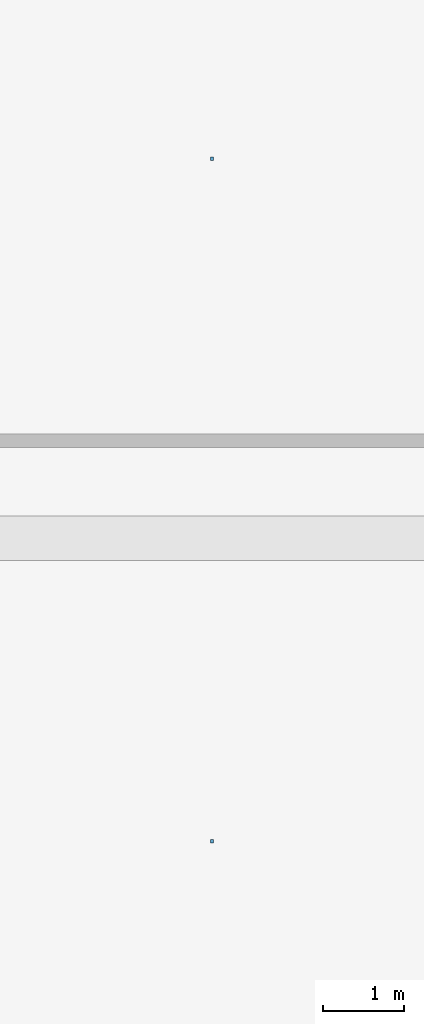
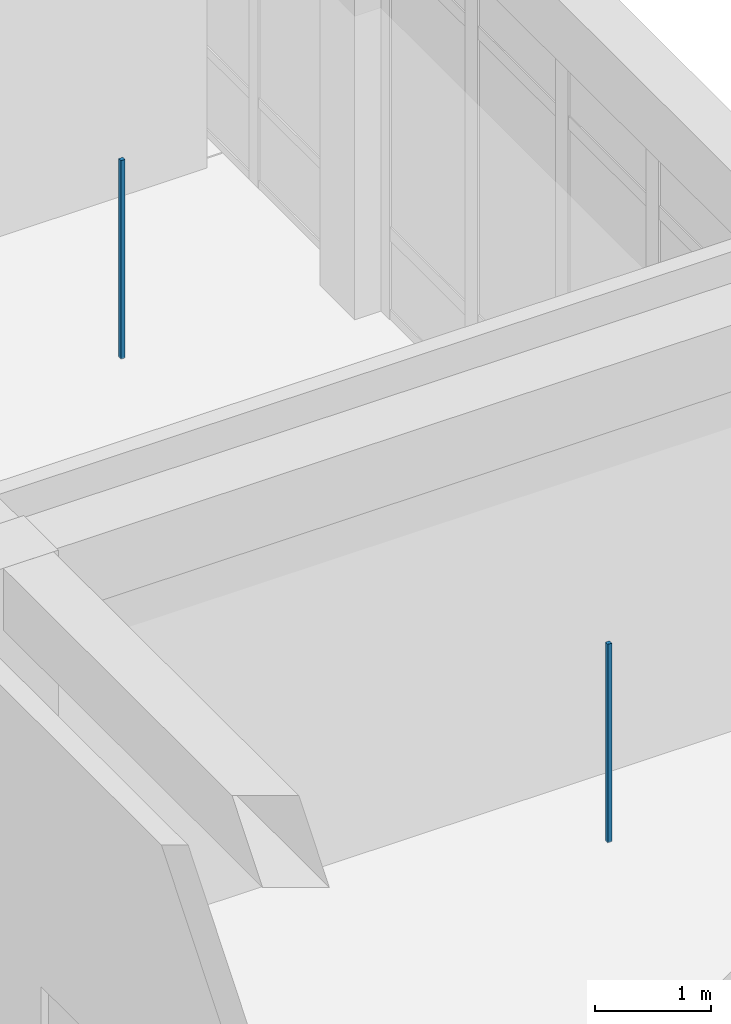
# One storey, part 110 of 157: 2 discrete accessories.
"""IFC4 building model written with IfcOpenShell, lengths in metres."""

import ifcopenshell
import ifcopenshell.guid

model = None  # the IFC model being written
_history = None  # IfcOwnerHistory: only IFC2X3 demands one
_inside = {}  # id of a spatial element -> (the spatial element, [elements in it])
_under = {}  # id of a project, library or spatial element -> (it, [spatial elements below it])
_declared = {}  # id of a project -> (the project, [libraries it declares])
_typed = {}  # id of a type object -> (the type object, [elements of that type])
_made_of = {}  # id of a material, layer set ... -> (it, [elements and type objects made of it])


def new_model(schema):
    """Start an empty IFC model of exactly this schema.

    Asked for "IFC4X3", IfcOpenShell would pick the latest addendum, in which some entities
    have other attributes; the version numbers below select the first issue.
    IFC2X3 requires an IfcOwnerHistory on every rooted entity: one is made here for all.
    """
    global model, _history
    if schema == "IFC4X3":
        model = ifcopenshell.file(schema_version=(4, 3, 0, 0))
    else:
        model = ifcopenshell.file(schema=schema)
    _inside.clear()
    _under.clear()
    _declared.clear()
    _typed.clear()
    _made_of.clear()
    _history = None
    if model.schema == "IFC2X3":
        org = make("IfcOrganization", Name="unknown")
        user = make(
            "IfcPersonAndOrganization",
            ThePerson=make("IfcPerson", FamilyName="unknown"),
            TheOrganization=org,
        )
        app = make(
            "IfcApplication",
            ApplicationDeveloper=org,
            Version="unknown",
            ApplicationFullName="unknown",
            ApplicationIdentifier="unknown",
        )
        _history = make(
            "IfcOwnerHistory",
            OwningUser=user,
            OwningApplication=app,
            ChangeAction="ADDED",
            CreationDate=0,
        )
    return model


def make(cls, **values):
    """One entity of the class cls with the attributes given. An attribute that is None is left unset."""
    return model.create_entity(
        cls, **{name: value for name, value in values.items() if value is not None}
    )


def rooted(cls, **values):
    """An entity with a GlobalId (a new one), such as an element, a storey or a relation."""
    return make(cls, GlobalId=ifcopenshell.guid.new(), OwnerHistory=_history, **values)


def si_unit(unit_type, name, prefix=None):
    """IfcSIUnit, for example si_unit("LENGTHUNIT", "METRE", prefix="MILLI")."""
    return make("IfcSIUnit", UnitType=unit_type, Prefix=prefix, Name=name)


def assignment(units):
    """IfcUnitAssignment: the units of a project."""
    return None if units is None else make("IfcUnitAssignment", Units=units)


def point(xyz):
    """IfcCartesianPoint."""
    return None if xyz is None else make("IfcCartesianPoint", Coordinates=xyz)


def direction(xyz):
    """IfcDirection."""
    return None if xyz is None else make("IfcDirection", DirectionRatios=xyz)


def frame(location, z_axis=None, x_axis=None):
    """IfcAxis2Placement3D, a coordinate frame: its origin and axes. An axis left out is left unset."""
    return make(
        "IfcAxis2Placement3D",
        Location=point(location),
        Axis=direction(z_axis),
        RefDirection=direction(x_axis),
    )


def frame_2d(location, x_axis=None):
    """IfcAxis2Placement2D, a coordinate frame in the plane: its origin and x axis."""
    return make(
        "IfcAxis2Placement2D", Location=point(location), RefDirection=direction(x_axis)
    )


def origin():
    """The frame at (0, 0, 0) with its axes left unset."""
    return frame((0.0, 0.0, 0.0))


def origin_2d():
    """The frame at (0, 0) in the plane with its x axis left unset."""
    return frame_2d((0.0, 0.0))


def place(relative_to, where):
    """IfcLocalPlacement: puts the frame where relative to a parent placement (None: the world)."""
    return make(
        "IfcLocalPlacement", PlacementRelTo=relative_to, RelativePlacement=where
    )


def context(
    kind, dimensions, precision=None, world=None, true_north=None, identifier=None
):
    """IfcGeometricRepresentationContext, for example the 3D "Model" context."""
    return make(
        "IfcGeometricRepresentationContext",
        ContextIdentifier=identifier,
        ContextType=kind,
        CoordinateSpaceDimension=dimensions,
        Precision=precision,
        WorldCoordinateSystem=world,
        TrueNorth=true_north,
    )


def subcontext(parent, identifier, kind, view, scale=None):
    """IfcGeometricRepresentationSubContext, for example "Body" below "Model"."""
    return make(
        "IfcGeometricRepresentationSubContext",
        ContextIdentifier=identifier,
        ContextType=kind,
        ParentContext=parent,
        TargetScale=scale,
        TargetView=view,
    )


def project(units=None, contexts=None):
    """IfcProject with its units and contexts."""
    return rooted(
        "IfcProject",
        Name="project",
        RepresentationContexts=contexts,
        UnitsInContext=assignment(units),
    )


def spatial(cls, under=None, at=None, **own):
    """A site, building, storey or space (cls), placed at a placement, below another one or the project."""
    s = rooted(cls, ObjectPlacement=at, **own)
    if under is not None:
        _under.setdefault(under.id(), (under, []))[1].append(s)
    return s


def profile(cls, at=None, kind="AREA", **sizes):
    """A parametric profile (cls). Its sizes go by their IFC names, for example OverallWidth=200.0."""
    return make(cls, ProfileType=kind, Position=at, **sizes)


def rectangle(**sizes):
    """IfcRectangleProfileDef."""
    return profile("IfcRectangleProfileDef", **sizes)


def extrude(swept, where, along, depth):
    """IfcExtrudedAreaSolid: the profile swept, set in the frame where, extruded along a direction by depth."""
    return make(
        "IfcExtrudedAreaSolid",
        SweptArea=swept,
        Position=where,
        ExtrudedDirection=direction(along),
        Depth=depth,
    )


def shape(context_of_items, identifier, shape_type, items):
    """IfcShapeRepresentation: the items that make up one representation, for example the "Body"."""
    return make(
        "IfcShapeRepresentation",
        ContextOfItems=context_of_items,
        RepresentationIdentifier=identifier,
        RepresentationType=shape_type,
        Items=items,
    )


def material(Name=None, Category=None):
    """IfcMaterial."""
    return make("IfcMaterial", Name=Name, Category=Category)


def made_of(thing, what):
    """Note that an element or type object is made of a material, layer set ...; save() writes the relation."""
    if what is not None:
        _made_of.setdefault(what.id(), (what, []))[1].append(thing)
    return thing


def type_object(cls, material=None, **own):
    """A type object (cls), such as IfcWallType, which elements share."""
    return made_of(rooted(cls, **own), material)


def element(
    cls,
    number,
    at=None,
    inside=None,
    cuts=None,
    type_object=None,
    material=None,
    context=None,
    identifier="Body",
    shape_type=None,
    held_by="IfcProductDefinitionShape",
    body=None,
    shapes=None,
    **own,
):
    """One element of the class cls, such as IfcWall. Its Tag is "e" and its number.

    at: its placement. inside: the storey or other place that contains it. cuts: it is an
    opening in that element (IfcRelVoidsElement). A single representation is given by context,
    identifier, shape_type and body (its items); several are given by shapes. held_by: the class
    of the entity that holds the representations. save() writes the other relations.
    """
    e = rooted(cls, Tag="e%d" % number, ObjectPlacement=at, **own)
    if body is not None:
        shapes = [shape(context, identifier, shape_type, body)]
    if shapes is not None:
        e.Representation = make(held_by, Representations=shapes)
    if inside is not None:
        _inside.setdefault(inside.id(), (inside, []))[1].append(e)
    if cuts is not None:
        rooted(
            "IfcRelVoidsElement", RelatingBuildingElement=cuts, RelatedOpeningElement=e
        )
    if type_object is not None:
        _typed.setdefault(type_object.id(), (type_object, []))[1].append(e)
    return made_of(e, material)


def aggregate(whole, parts):
    """IfcRelAggregates: a whole, such as a stair, and the parts it consists of."""
    return rooted("IfcRelAggregates", RelatingObject=whole, RelatedObjects=parts)


def save(model, path):
    """Write the relations noted so far, then the file.

    IfcRelAggregates (storeys below a building ...), IfcRelContainedInSpatialStructure (elements
    in a storey), IfcRelDefinesByType, IfcRelAssociatesMaterial and IfcRelDeclares: one each for
    every whole, place, type object, material and project.
    """
    for whole, parts in _under.values():
        aggregate(whole, parts)
    for where, things in _inside.values():
        rooted(
            "IfcRelContainedInSpatialStructure",
            RelatedElements=things,
            RelatingStructure=where,
        )
    for kind, things in _typed.values():
        rooted("IfcRelDefinesByType", RelatedObjects=things, RelatingType=kind)
    for what, things in _made_of.values():
        rooted("IfcRelAssociatesMaterial", RelatedObjects=things, RelatingMaterial=what)
    for by, libraries in _declared.values():
        rooted("IfcRelDeclares", RelatingContext=by, RelatedDefinitions=libraries)
    model.write(path)


model = new_model("IFC4")

# Units and contexts
model_context = context("Model", 3, precision=1e-05, world=origin(), true_north=direction((0.0, 1.0)))
body_context = subcontext(model_context, "Body", "Model", "MODEL_VIEW")
ifc_project = project(units=[si_unit("LENGTHUNIT", "METRE"), si_unit("AREAUNIT", "SQUARE_METRE"), si_unit("VOLUMEUNIT", "CUBIC_METRE"), si_unit("PLANEANGLEUNIT", "RADIAN"), si_unit("MASSUNIT", "GRAM", prefix="KILO")], contexts=[model_context])

# Site, building, storey
site_placement = place(None, origin())
site = spatial("IfcSite", under=ifc_project, at=site_placement, CompositionType="ELEMENT")
building_placement = place(site_placement, origin())
building = spatial("IfcBuilding", under=site, at=building_placement, Name="Varncliffe General Hospital", CompositionType="ELEMENT")
storey_placement = place(building_placement, frame((0.0, 0.0, 5.39990234375)))
storey = spatial("IfcBuildingStorey", under=building, at=storey_placement, Name="L01", CompositionType="ELEMENT", Elevation=5.39990234375)

# Discrete accessories
ifc_material = material(Name="Powder-coated hospital steel guardrail and handrail", Category="steel")
discrete_accessory_type = type_object("IfcDiscreteAccessoryType", Name="Suspended Ceiling Hanger Bracket CH01", PredefinedType="BRACKET", material=ifc_material)
for number, where, z_axis, x_axis, name in (
    (1, (20.60009765625, 62.27001953125, 3.18994140625), (0.0, 0.0, 1.0), (1.0, 0.0, 0.0), "L01 Suspended Ceiling Hanger 151"),
    (2, (20.60009765625, 70.669921875, 3.18994140625), (0.0, 0.0, 1.0), (1.0, 0.0, 0.0), "L01 Suspended Ceiling Hanger 152"),
):
    element("IfcDiscreteAccessory", number, at=place(storey_placement, frame(where, z_axis=z_axis, x_axis=x_axis)), inside=storey, type_object=discrete_accessory_type, Name=name, PredefinedType="BRACKET", context=body_context, shape_type="SweptSolid", body=[
        extrude(rectangle(XDim=0.0400390625, YDim=0.0400390625, at=origin_2d()), origin(), (0.0, 0.0, 1.0), 2.090087890625),
    ])

save(model, "model.ifc")
